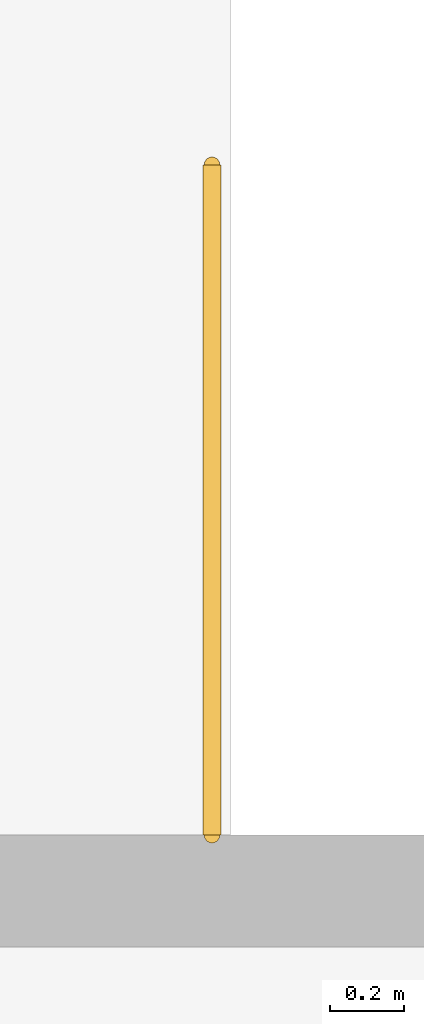
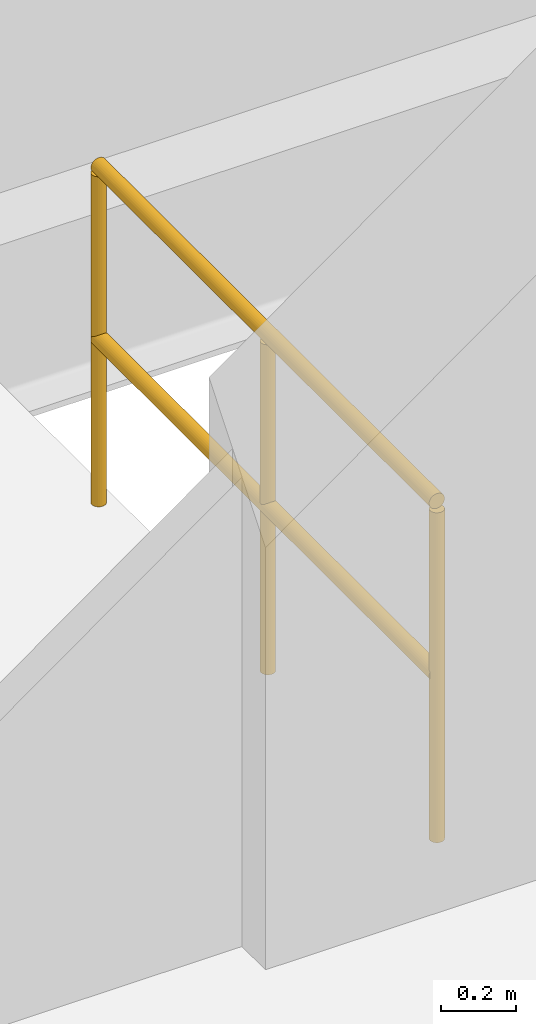
# One storey, part 68 of 74: 1 railing.
"""IFC4 building model written with IfcOpenShell, lengths in metres."""

from ifc_helpers import new_model, si_unit, direction, frame, origin, origin_2d, place, context, subcontext, project, spatial, circle, extrude, material, type_object, element, save


model = new_model("IFC4")

# Units and contexts
model_context = context("Model", 3, precision=1e-05, world=origin(), true_north=direction((0.0, 1.0)))
body_context = subcontext(model_context, "Body", "Model", "MODEL_VIEW")
ifc_project = project(units=[si_unit("LENGTHUNIT", "METRE"), si_unit("AREAUNIT", "SQUARE_METRE"), si_unit("VOLUMEUNIT", "CUBIC_METRE"), si_unit("PLANEANGLEUNIT", "RADIAN"), si_unit("MASSUNIT", "GRAM", prefix="KILO"), si_unit("THERMODYNAMICTEMPERATUREUNIT", "KELVIN"), si_unit("POWERUNIT", "WATT")], contexts=[model_context])

# Site, building, storey
site_placement = place(None, origin())
site = spatial("IfcSite", under=ifc_project, at=site_placement, CompositionType="ELEMENT")
building_placement = place(site_placement, origin())
building = spatial("IfcBuilding", under=site, at=building_placement, Name="Tembeka Court Mobility Hub", CompositionType="ELEMENT")
storey_placement = place(building_placement, frame((0.0, 0.0, 12.60009765625)))
storey = spatial("IfcBuildingStorey", under=building, at=storey_placement, Name="L03", CompositionType="ELEMENT", Elevation=12.60009765625)

# Railing
ifc_material = material(Name="Painted galvanised steel balustrade", Category="steel")
railing_type = type_object("IfcRailingType", Name="RL-GR01", PredefinedType="GUARDRAIL", material=ifc_material)
railing_placement = place(storey_placement, frame((119.10009765625, 43.300048828125, 0.0)))
element("IfcRailing", 1, at=railing_placement, inside=storey, type_object=railing_type, Name="L03 ST05 top well guard 1-1", PredefinedType="GUARDRAIL", context=body_context, shape_type="SweptSolid", body=[
    extrude(circle(Radius=0.02392578125, at=origin_2d()), frame((0.0, 0.0, 1.09619140625), z_axis=(0.0, 1.0, 0.0), x_axis=(-1.0, 0.0, 0.0)), (0.0, 0.0, 1.0), 1.800048828125),
    extrude(circle(Radius=0.02392578125, at=origin_2d()), frame((0.0, 0.0, 0.5361328125), z_axis=(0.0, 1.0, 0.0), x_axis=(-1.0, 0.0, 0.0)), (0.0, 0.0, 1.0), 1.800048828125),
    extrude(circle(Radius=0.02099609375, at=origin_2d()), origin(), (0.0, 0.0, 1.0), 1.072021484375),
    extrude(circle(Radius=0.02099609375, at=origin_2d()), frame((0.0, 0.89990234375, 0.0)), (0.0, 0.0, 1.0), 1.072021484375),
    extrude(circle(Radius=0.02099609375, at=origin_2d()), frame((0.0, 1.800048828125, 0.0)), (0.0, 0.0, 1.0), 1.072021484375),
])

save(model, "model.ifc")
